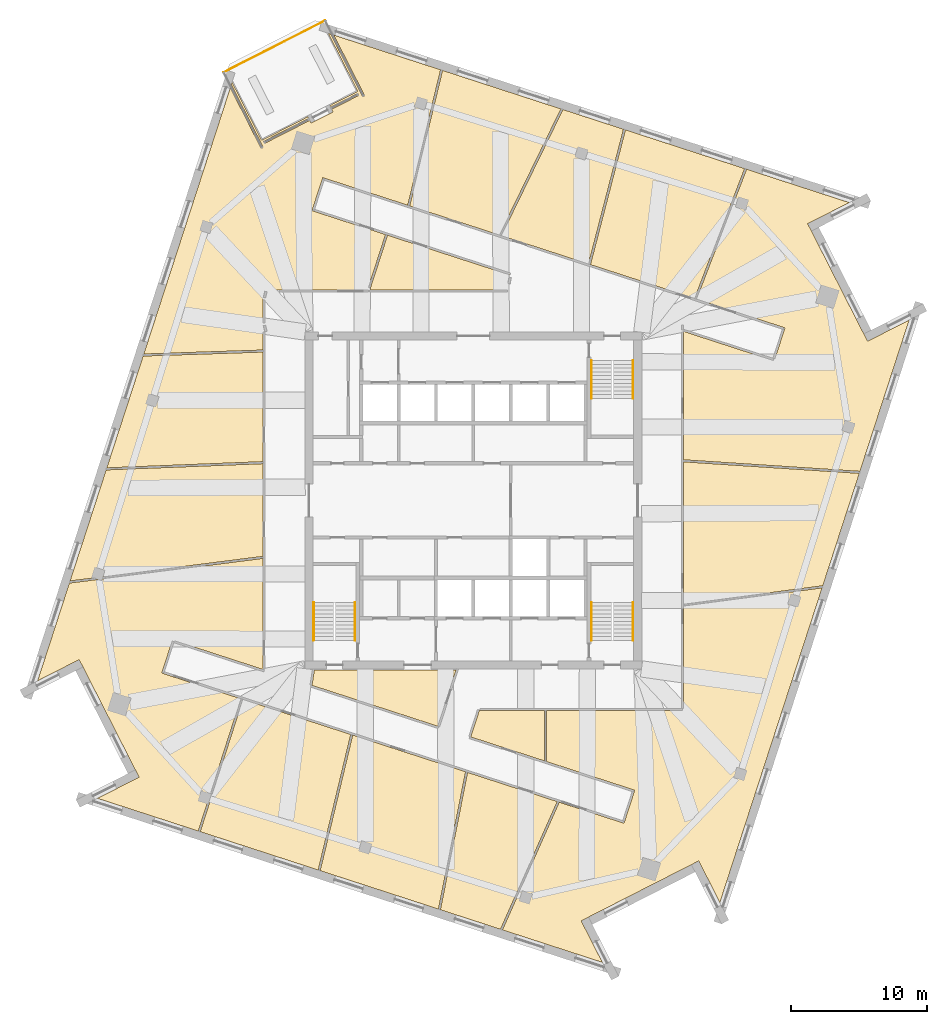
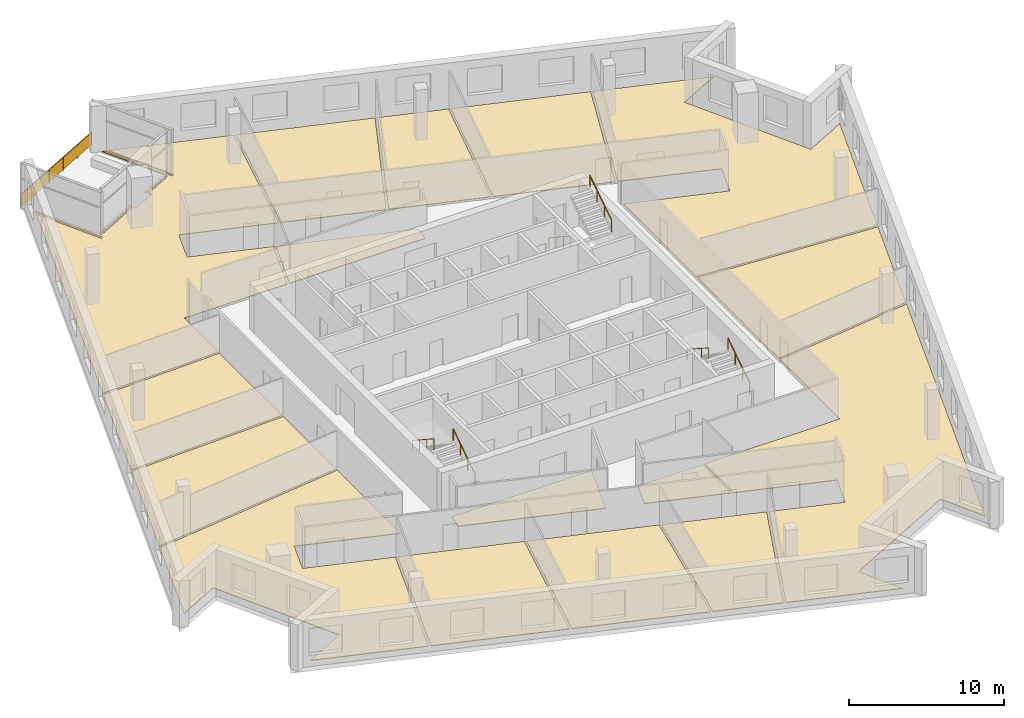
# One storey, part 12 of 13: 16 coverings, 7 railings.
"""IFC4 building model written with IfcOpenShell, lengths in metres."""

from ifc_helpers import new_model, si_unit, direction, frame, origin, origin_2d, place, context, subcontext, project, spatial, polyline, rectangle, circle, outline, extrude, material, layer, layer_set, type_object, element, save


model = new_model("IFC4")

# Units and contexts
model_context = context("Model", 3, precision=1e-05, world=origin(), true_north=direction((0.0, 1.0)))
body_context = subcontext(model_context, "Body", "Model", "MODEL_VIEW")
ifc_project = project(units=[si_unit("LENGTHUNIT", "METRE"), si_unit("AREAUNIT", "SQUARE_METRE"), si_unit("VOLUMEUNIT", "CUBIC_METRE"), si_unit("PLANEANGLEUNIT", "RADIAN"), si_unit("MASSUNIT", "GRAM", prefix="KILO")], contexts=[model_context])

# Site, building, storey
site_placement = place(None, origin())
site = spatial("IfcSite", under=ifc_project, at=site_placement, CompositionType="ELEMENT")
building_placement = place(site_placement, origin())
building = spatial("IfcBuilding", under=site, at=building_placement, Name="Dilmun Exchange Tower", CompositionType="ELEMENT")
storey_placement = place(building_placement, frame((0.0, 0.0, 316.5)))
storey = spatial("IfcBuildingStorey", under=building, at=storey_placement, Name="L75", CompositionType="ELEMENT", Elevation=316.5)

# Coverings
ifc_material_1 = material(Name="Carpet floor finish 50")
ifc_layer_1 = layer(ifc_material_1, 0.050048828125)
ifc_layer_set_1 = layer_set([ifc_layer_1], Name="Carpet floor finish 50")
covering_type_1 = type_object("IfcCoveringType", Name="Carpet floor finish 50", PredefinedType="FLOORING", material=ifc_layer_set_1)
covering_1_placement = place(storey_placement, origin())
element("IfcCovering", 1, at=covering_1_placement, inside=storey, type_object=covering_type_1, Name="Carpet floor finish 50 Boardroom 1", PredefinedType="FLOORING", context=body_context, shape_type="SweptSolid", body=[
    extrude(outline(polyline([(-9.0244140625, -17.218994140625), (-11.418701171875, -27.20068359375), (-20.1044921875, -24.37841796875), (-16.962890625, -14.6396484375), (-9.0244140625, -17.218994140625)])), origin(), (0.0, 0.0, 1.0), 0.050048828125),
])
covering_2_placement = place(storey_placement, origin())
element("IfcCovering", 2, at=covering_2_placement, inside=storey, type_object=covering_type_1, Name="Carpet floor finish 50 Garden lounge", PredefinedType="FLOORING", context=body_context, shape_type="SweptSolid", body=[
    extrude(outline(polyline([(-15.47509765625, 11.070068359375), (-24.254150390625, 10.779052734375), (-17.887939453125, 30.3720703125), (-15.6123046875, 25.9052734375), (-15.612060546875, 25.905029296875), (-15.612060546875, 25.90478515625), (-15.61181640625, 25.90478515625), (-15.61181640625, 25.90478515625), (-15.611572265625, 25.904541015625), (-15.611328125, 25.904296875), (-15.611083984375, 25.904296875), (-15.611083984375, 25.904296875), (-15.61083984375, 25.904296875), (-15.610595703125, 25.904296875), (-15.6103515625, 25.904296875), (-15.610107421875, 25.904296875), (-15.610107421875, 25.904296875), (-15.60986328125, 25.904296875), (-15.609619140625, 25.904296875), (-15.609619140625, 25.904296875), (-15.466796875, 25.97705078125), (-15.466796875, 25.97705078125), (-15.466552734375, 25.977294921875), (-15.46630859375, 25.977294921875), (-15.46630859375, 25.9775390625), (-15.46630859375, 25.977783203125), (-15.466064453125, 25.977783203125), (-15.466064453125, 25.97802734375), (-15.4658203125, 25.978271484375), (-15.4658203125, 25.978515625), (-15.4658203125, 25.978515625), (-15.4658203125, 25.978759765625), (-15.4658203125, 25.97900390625), (-15.4658203125, 25.979248046875), (-15.4658203125, 25.9794921875), (-15.466064453125, 25.9794921875), (-15.466064453125, 25.979736328125), (-17.81640625, 30.592529296875), (-17.75390625, 30.784912109375), (-15.576904296875, 26.512451171875), (-12.180419921875, 28.2431640625), (-12.115478515625, 28.11572265625), (-15.4453125, 26.419189453125), (-15.4453125, 26.4189453125), (-15.445556640625, 26.4189453125), (-15.44580078125, 26.418701171875), (-15.44580078125, 26.418701171875), (-15.446044921875, 26.41845703125), (-15.446044921875, 26.418212890625), (-15.4462890625, 26.418212890625), (-15.4462890625, 26.41796875), (-15.4462890625, 26.417724609375), (-15.4462890625, 26.41748046875), (-15.4462890625, 26.417236328125), (-15.4462890625, 26.4169921875), (-15.4462890625, 26.4169921875), (-15.4462890625, 26.416748046875), (-15.4462890625, 26.41650390625), (-15.446044921875, 26.41650390625), (-15.37353515625, 26.273681640625), (-15.373291015625, 26.273681640625), (-15.373291015625, 26.2734375), (-15.373046875, 26.273193359375), (-15.373046875, 26.273193359375), (-15.372802734375, 26.273193359375), (-15.372802734375, 26.27294921875), (-15.37255859375, 26.27294921875), (-15.372314453125, 26.272705078125), (-15.3720703125, 26.272705078125), (-15.371826171875, 26.272705078125), (-15.37158203125, 26.272705078125), (-15.37158203125, 26.272705078125), (-15.371337890625, 26.272705078125), (-15.37109375, 26.272705078125), (-15.37109375, 26.27294921875), (-15.370849609375, 26.27294921875), (-12.041015625, 27.969482421875), (-11.94189453125, 27.775390625), (-11.94189453125, 27.775146484375), (-11.94189453125, 27.77490234375), (-11.941650390625, 27.77490234375), (-11.94140625, 27.774658203125), (-11.94140625, 27.774658203125), (-11.941162109375, 27.7744140625), (-11.94091796875, 27.7744140625), (-11.94091796875, 27.7744140625), (-11.940673828125, 27.774169921875), (-11.9404296875, 27.774169921875), (-11.940185546875, 27.774169921875), (-11.93994140625, 27.774169921875), (-11.939697265625, 27.774169921875), (-11.939697265625, 27.7744140625), (-11.939453125, 27.7744140625), (-11.939208984375, 27.7744140625), (-10.33544921875, 28.591552734375), (-10.335205078125, 28.591796875), (-10.335205078125, 28.591796875), (-10.3349609375, 28.592041015625), (-10.3349609375, 28.592041015625), (-10.334716796875, 28.59228515625), (-10.334716796875, 28.59228515625), (-10.334716796875, 28.592529296875), (-10.33447265625, 28.5927734375), (-10.33447265625, 28.593017578125), (-10.33447265625, 28.59326171875), (-10.33447265625, 28.593505859375), (-10.33447265625, 28.593505859375), (-10.33447265625, 28.59375), (-10.33447265625, 28.593994140625), (-10.33447265625, 28.593994140625), (-10.334716796875, 28.59423828125), (-10.43359375, 28.78857421875), (-8.4404296875, 29.80419921875), (-8.440185546875, 29.80419921875), (-8.43994140625, 29.80419921875), (-8.43994140625, 29.804443359375), (-8.439697265625, 29.8046875), (-8.439697265625, 29.8046875), (-8.439453125, 29.804931640625), (-8.439453125, 29.80517578125), (-8.439453125, 29.805419921875), (-8.439208984375, 29.805419921875), (-8.439208984375, 29.8056640625), (-8.439208984375, 29.805908203125), (-8.439208984375, 29.80615234375), (-8.439208984375, 29.806396484375), (-8.439453125, 29.806396484375), (-8.439453125, 29.806640625), (-8.439453125, 29.806884765625), (-8.51220703125, 29.949462890625), (-8.51220703125, 29.94970703125), (-8.51220703125, 29.94970703125), (-8.512451171875, 29.949951171875), (-8.5126953125, 29.949951171875), (-8.5126953125, 29.9501953125), (-8.512939453125, 29.9501953125), (-8.51318359375, 29.9501953125), (-8.51318359375, 29.950439453125), (-8.513427734375, 29.950439453125), (-8.513671875, 29.950439453125), (-8.513916015625, 29.950439453125), (-8.51416015625, 29.950439453125), (-8.514404296875, 29.950439453125), (-8.514404296875, 29.950439453125), (-8.5146484375, 29.9501953125), (-8.514892578125, 29.9501953125), (-10.508056640625, 28.934814453125), (-10.572998046875, 29.06201171875), (-8.512939453125, 30.11181640625), (-10.689697265625, 34.38427734375), (-10.497314453125, 34.32177734375), (-8.147216796875, 29.708984375), (-8.147216796875, 29.708740234375), (-8.14697265625, 29.70849609375), (-8.146728515625, 29.70849609375), (-8.146728515625, 29.708251953125), (-8.146484375, 29.7080078125), (-8.146484375, 29.7080078125), (-8.146240234375, 29.7080078125), (-8.14599609375, 29.7080078125), (-8.145751953125, 29.707763671875), (-8.1455078125, 29.707763671875), (-8.1455078125, 29.707763671875), (-8.145263671875, 29.707763671875), (-8.14501953125, 29.707763671875), (-8.144775390625, 29.7080078125), (-8.144775390625, 29.7080078125), (-8.14453125, 29.7080078125), (-8.001953125, 29.780517578125), (-8.001708984375, 29.78076171875), (-8.001708984375, 29.78076171875), (-8.00146484375, 29.781005859375), (-8.001220703125, 29.781005859375), (-8.001220703125, 29.78125), (-8.001220703125, 29.781494140625), (-8.0009765625, 29.781494140625), (-8.0009765625, 29.78173828125), (-8.0009765625, 29.781982421875), (-8.000732421875, 29.7822265625), (-8.000732421875, 29.782470703125), (-8.000732421875, 29.78271484375), (-8.0009765625, 29.78271484375), (-8.0009765625, 29.782958984375), (-8.0009765625, 29.783203125), (-8.0009765625, 29.783203125), (-10.27685546875, 34.25), (-2.41162109375, 31.6943359375), (-4.829345703125, 21.720458984375), (-11.08349609375, 23.75244140625), (-11.87158203125, 21.327392578125), (-6.459716796875, 19.56884765625), (-7.789794921875, 15.47509765625), (-15.47509765625, 15.47509765625), (-15.47509765625, 11.070068359375)])), origin(), (0.0, 0.0, 1.0), 0.050048828125),
])
covering_3_placement = place(storey_placement, origin())
element("IfcCovering", 3, at=covering_3_placement, inside=storey, type_object=covering_type_1, Name="Carpet floor finish 50 Boardroom 2", PredefinedType="FLOORING", context=body_context, shape_type="SweptSolid", body=[
    extrude(outline(polyline([(2.645751953125, 16.6103515625), (2.4658203125, 15.47509765625), (-7.5751953125, 15.47509765625), (-7.5751953125, 15.64990234375), (-6.31689453125, 19.5224609375), (2.645751953125, 16.6103515625)])), origin(), (0.0, 0.0, 1.0), 0.050048828125),
])
covering_4_placement = place(storey_placement, origin())
element("IfcCovering", 4, at=covering_4_placement, inside=storey, type_object=covering_type_1, Name="Carpet floor finish 50 Break-out lounge", PredefinedType="FLOORING", context=body_context, shape_type="SweptSolid", body=[
    extrude(outline(polyline([(1.911865234375, 19.530029296875), (-4.686279296875, 21.673828125), (-2.2685546875, 31.64794921875), (6.445068359375, 28.816650390625), (1.911865234375, 19.530029296875)])), origin(), (0.0, 0.0, 1.0), 0.050048828125),
])
covering_5_placement = place(storey_placement, origin())
element("IfcCovering", 5, at=covering_5_placement, inside=storey, type_object=covering_type_1, Name="Carpet floor finish 50 Prayer room", PredefinedType="FLOORING", context=body_context, shape_type="SweptSolid", body=[
    extrude(outline(polyline([(6.17431640625, -22.157470703125), (1.9931640625, -31.55859375), (-2.42626953125, -30.12255859375), (-0.42919921875, -20.01171875), (6.17431640625, -22.157470703125)])), origin(), (0.0, 0.0, 1.0), 0.050048828125),
])
covering_6_placement = place(storey_placement, origin())
element("IfcCovering", 6, at=covering_6_placement, inside=storey, type_object=covering_type_1, Name="Carpet floor finish 50 Meeting room", PredefinedType="FLOORING", context=body_context, shape_type="SweptSolid", body=[
    extrude(outline(polyline([(5.23486328125, -19.1708984375), (-0.196533203125, -17.406005859375), (0.430908203125, -15.47509765625), (5.23486328125, -15.47509765625), (5.23486328125, -19.1708984375)])), origin(), (0.0, 0.0, 1.0), 0.050048828125),
])
covering_7_placement = place(storey_placement, origin())
element("IfcCovering", 7, at=covering_7_placement, inside=storey, type_object=covering_type_1, Name="Carpet floor finish 50 Headquarters office", PredefinedType="FLOORING", context=body_context, shape_type="SweptSolid", body=[
    extrude(outline(polyline([(6.31787109375, -22.2041015625), (11.08349609375, -23.75244140625), (11.87158203125, -21.327392578125), (5.384765625, -19.219482421875), (5.384765625, -15.47509765625), (15.47509765625, -15.47509765625), (15.47509765625, -7.77978515625), (25.665771484375, -6.4345703125), (18.141845703125, -29.590576171875), (16.583740234375, -26.53271484375), (16.583740234375, -26.532470703125), (16.58349609375, -26.5322265625), (16.58349609375, -26.531982421875), (16.583251953125, -26.531982421875), (16.5830078125, -26.531982421875), (16.5830078125, -26.53173828125), (16.582763671875, -26.53173828125), (16.58251953125, -26.531494140625), (16.58251953125, -26.531494140625), (16.582275390625, -26.531494140625), (16.58203125, -26.531494140625), (16.581787109375, -26.531494140625), (16.581787109375, -26.531494140625), (16.58154296875, -26.531494140625), (16.581298828125, -26.531494140625), (16.5810546875, -26.53173828125), (16.046875, -26.803955078125), (16.046875, -26.803955078125), (16.046630859375, -26.803955078125), (16.04638671875, -26.80419921875), (8.472900390625, -30.6630859375), (8.472900390625, -30.6630859375), (7.938232421875, -30.935302734375), (7.93798828125, -30.935546875), (7.93798828125, -30.935546875), (7.937744140625, -30.935791015625), (7.937744140625, -30.935791015625), (7.9375, -30.93603515625), (7.9375, -30.936279296875), (7.9375, -30.936279296875), (7.937255859375, -30.9365234375), (7.937255859375, -30.936767578125), (7.937255859375, -30.93701171875), (7.937255859375, -30.937255859375), (7.937255859375, -30.9375), (7.937255859375, -30.9375), (7.937255859375, -30.937744140625), (7.937255859375, -30.93798828125), (7.9375, -30.93798828125), (9.49560546875, -33.99609375), (2.13671875, -31.60498046875), (6.31787109375, -22.2041015625)])), origin(), (0.0, 0.0, 1.0), 0.050048828125),
])
ifc_material_2 = material(Name="Rubber floor finish 50")
ifc_layer_2 = layer(ifc_material_2, 0.050048828125)
ifc_layer_set_2 = layer_set([ifc_layer_2], Name="Rubber floor finish 50")
covering_type_2 = type_object("IfcCoveringType", Name="Rubber floor finish 50", PredefinedType="FLOORING", material=ifc_layer_set_2)
covering_8_placement = place(storey_placement, origin())
element("IfcCovering", 8, at=covering_8_placement, inside=storey, type_object=covering_type_2, Name="Rubber floor finish 50 Fitness room 1", PredefinedType="FLOORING", context=body_context, shape_type="SweptSolid", body=[
    extrude(outline(polyline([(-15.47509765625, -4.26318359375), (-15.47509765625, -12.44189453125), (-22.14013671875, -10.276123046875), (-22.92822265625, -12.701416015625), (-17.10546875, -14.59326171875), (-20.247314453125, -24.332275390625), (-27.66455078125, -21.922119140625), (-24.6064453125, -20.364013671875), (-24.606201171875, -20.364013671875), (-24.606201171875, -20.36376953125), (-24.60595703125, -20.363525390625), (-24.60595703125, -20.363525390625), (-24.605712890625, -20.36328125), (-24.605712890625, -20.36328125), (-24.605712890625, -20.363037109375), (-24.60546875, -20.36279296875), (-24.60546875, -20.362548828125), (-24.60546875, -20.3623046875), (-24.60546875, -20.3623046875), (-24.60546875, -20.362060546875), (-24.60546875, -20.36181640625), (-24.60546875, -20.36181640625), (-24.60546875, -20.361572265625), (-24.605712890625, -20.361328125), (-24.8779296875, -19.82666015625), (-24.8779296875, -19.82666015625), (-28.73681640625, -12.253173828125), (-28.73681640625, -12.253173828125), (-29.00927734375, -11.718505859375), (-29.009521484375, -11.71826171875), (-29.009521484375, -11.71826171875), (-29.009765625, -11.718017578125), (-29.009765625, -11.718017578125), (-29.010009765625, -11.7177734375), (-29.010009765625, -11.7177734375), (-29.01025390625, -11.717529296875), (-29.010498046875, -11.717529296875), (-29.0107421875, -11.71728515625), (-29.010986328125, -11.71728515625), (-29.010986328125, -11.71728515625), (-29.01123046875, -11.71728515625), (-29.011474609375, -11.71728515625), (-29.01171875, -11.717529296875), (-29.01171875, -11.717529296875), (-29.011962890625, -11.717529296875), (-32.070068359375, -13.27587890625), (-29.73291015625, -6.08251953125), (-15.47509765625, -4.26318359375)])), origin(), (0.0, 0.0, 1.0), 0.050048828125),
])
covering_9_placement = place(storey_placement, origin())
element("IfcCovering", 9, at=covering_9_placement, inside=storey, type_object=covering_type_2, Name="Rubber floor finish 50 Fitness room 2", PredefinedType="FLOORING", context=body_context, shape_type="SweptSolid", body=[
    extrude(outline(polyline([(-15.47509765625, -4.11181640625), (-29.681640625, -5.9248046875), (-27.026611328125, 2.246826171875), (-15.47509765625, 2.706298828125), (-15.47509765625, -4.11181640625)])), origin(), (0.0, 0.0, 1.0), 0.050048828125),
])
covering_10_placement = place(storey_placement, origin())
element("IfcCovering", 10, at=covering_10_placement, inside=storey, type_object=covering_type_2, Name="Rubber floor finish 50 Fitness room 3", PredefinedType="FLOORING", context=body_context, shape_type="SweptSolid", body=[
    extrude(outline(polyline([(-15.47509765625, 2.8564453125), (-26.97705078125, 2.398681640625), (-24.303466796875, 10.62744140625), (-15.47509765625, 10.919921875), (-15.47509765625, 2.8564453125)])), origin(), (0.0, 0.0, 1.0), 0.050048828125),
])
covering_11_placement = place(storey_placement, origin())
element("IfcCovering", 11, at=covering_11_placement, inside=storey, type_object=covering_type_2, Name="Rubber floor finish 50 Fitness room 4", PredefinedType="FLOORING", context=body_context, shape_type="SweptSolid", body=[
    extrude(outline(polyline([(16.27587890625, 14.86279296875), (8.613525390625, 17.3525390625), (11.192138671875, 27.2744140625), (19.96484375, 24.423828125), (16.27587890625, 14.86279296875)])), origin(), (0.0, 0.0, 1.0), 0.050048828125),
])
covering_12_placement = place(storey_placement, origin())
element("IfcCovering", 12, at=covering_12_placement, inside=storey, type_object=covering_type_2, Name="Rubber floor finish 50 Fitness room 5", PredefinedType="FLOORING", context=body_context, shape_type="SweptSolid", body=[
    extrude(outline(polyline([(15.47509765625, 2.841064453125), (28.404296875, 1.993896484375), (25.717041015625, -6.276611328125), (15.47509765625, -7.628662109375), (15.47509765625, 2.841064453125)])), origin(), (0.0, 0.0, 1.0), 0.050048828125),
])
covering_13_placement = place(storey_placement, origin())
element("IfcCovering", 13, at=covering_13_placement, inside=storey, type_object=covering_type_2, Name="Rubber floor finish 50 Fitness room 6", PredefinedType="FLOORING", context=body_context, shape_type="SweptSolid", body=[
    extrude(outline(polyline([(22.92822265625, 12.701416015625), (16.418701171875, 14.81640625), (20.107666015625, 24.37744140625), (27.66455078125, 21.922119140625), (24.6064453125, 20.364013671875), (24.606201171875, 20.364013671875), (24.606201171875, 20.36376953125), (24.60595703125, 20.363525390625), (24.60595703125, 20.363525390625), (24.605712890625, 20.36328125), (24.605712890625, 20.36328125), (24.605712890625, 20.363037109375), (24.60546875, 20.36279296875), (24.60546875, 20.362548828125), (24.60546875, 20.3623046875), (24.60546875, 20.3623046875), (24.60546875, 20.362060546875), (24.60546875, 20.36181640625), (24.60546875, 20.36181640625), (24.60546875, 20.361572265625), (24.605712890625, 20.361328125), (24.8779296875, 19.82666015625), (24.8779296875, 19.82666015625), (28.73681640625, 12.253173828125), (28.73681640625, 12.253173828125), (29.00927734375, 11.718505859375), (29.009521484375, 11.71826171875), (29.009521484375, 11.71826171875), (29.009765625, 11.718017578125), (29.009765625, 11.718017578125), (29.010009765625, 11.7177734375), (29.010009765625, 11.7177734375), (29.01025390625, 11.717529296875), (29.010498046875, 11.717529296875), (29.0107421875, 11.71728515625), (29.010986328125, 11.71728515625), (29.010986328125, 11.71728515625), (29.01123046875, 11.71728515625), (29.011474609375, 11.71728515625), (29.01171875, 11.717529296875), (29.01171875, 11.717529296875), (29.011962890625, 11.717529296875), (32.070068359375, 13.27587890625), (28.4521484375, 2.14111328125), (15.47509765625, 2.9912109375), (15.47509765625, 12.44189453125), (22.14013671875, 10.276123046875), (22.92822265625, 12.701416015625)])), origin(), (0.0, 0.0, 1.0), 0.050048828125),
])

# Railings
ifc_material_3 = material(Name="Stainless steel", Category="steel")
railing_type_1 = type_object("IfcRailingType", Name="Stair handrail 900", PredefinedType="HANDRAIL", material=ifc_material_3)
railing_1_placement = place(storey_placement, frame((8.699951171875, 10.300048828125, 0.181884765625)))
element("IfcRailing", 14, at=railing_1_placement, inside=storey, type_object=railing_type_1, Name="L75 ST1 stair handrail 1", PredefinedType="HANDRAIL", context=body_context, shape_type="SweptSolid", body=[
    extrude(circle(Radius=0.02392578125, at=origin_2d()), frame((0.0, 0.0, 0.8759765625), z_axis=(0.0, -0.838705829183, 0.544584733623), x_axis=(1.0, 0.0, 0.0)), (0.0, 0.0, 1.0), 3.338623046875),
    extrude(circle(Radius=0.02099609375, at=origin_2d()), origin(), (0.0, 0.0, 1.0), 0.851806640625),
    extrude(circle(Radius=0.02099609375, at=origin_2d()), frame((0.0, -0.933349609375, 0.60595703125)), (0.0, 0.0, 1.0), 0.851806640625),
    extrude(circle(Radius=0.02099609375, at=origin_2d()), frame((0.0, -1.86669921875, 1.212158203125)), (0.0, 0.0, 1.0), 0.851806640625),
    extrude(circle(Radius=0.02099609375, at=origin_2d()), frame((0.0, -2.800048828125, 1.818115234375)), (0.0, 0.0, 1.0), 0.851806640625),
])
for number, where, name in (
    (15, (11.75, 7.5, 2.181884765625), "L75 ST1 stair handrail 2"),
    (16, (-8.699951171875, -10.300048828125, 0.181884765625), "L75 ST2 stair handrail 1"),
):
    element("IfcRailing", number, at=place(storey_placement, frame(where)), inside=storey, type_object=railing_type_1, Name=name, PredefinedType="HANDRAIL", context=body_context, shape_type="SweptSolid", body=[
        extrude(circle(Radius=0.02392578125, at=origin_2d()), frame((0.0, 0.0, 0.8759765625), z_axis=(0.0, 0.838705829183, 0.544584733623), x_axis=(-1.0, 0.0, 0.0)), (0.0, 0.0, 1.0), 3.338623046875),
        extrude(circle(Radius=0.02099609375, at=origin_2d()), origin(), (0.0, 0.0, 1.0), 0.851806640625),
        extrude(circle(Radius=0.02099609375, at=origin_2d()), frame((0.0, 0.933349609375, 0.60595703125)), (0.0, 0.0, 1.0), 0.851806640625),
        extrude(circle(Radius=0.02099609375, at=origin_2d()), frame((0.0, 1.86669921875, 1.212158203125)), (0.0, 0.0, 1.0), 0.851806640625),
        extrude(circle(Radius=0.02099609375, at=origin_2d()), frame((0.0, 2.800048828125, 1.818115234375)), (0.0, 0.0, 1.0), 0.851806640625),
    ])
railing_2_placement = place(storey_placement, frame((-11.75, -7.5, 2.181884765625)))
element("IfcRailing", 17, at=railing_2_placement, inside=storey, type_object=railing_type_1, Name="L75 ST2 stair handrail 2", PredefinedType="HANDRAIL", context=body_context, shape_type="SweptSolid", body=[
    extrude(circle(Radius=0.02392578125, at=origin_2d()), frame((0.0, 0.0, 0.8759765625), z_axis=(0.0, -0.838705829183, 0.544584733623), x_axis=(1.0, 0.0, 0.0)), (0.0, 0.0, 1.0), 3.338623046875),
    extrude(circle(Radius=0.02099609375, at=origin_2d()), origin(), (0.0, 0.0, 1.0), 0.851806640625),
    extrude(circle(Radius=0.02099609375, at=origin_2d()), frame((0.0, -0.933349609375, 0.60595703125)), (0.0, 0.0, 1.0), 0.851806640625),
    extrude(circle(Radius=0.02099609375, at=origin_2d()), frame((0.0, -1.86669921875, 1.212158203125)), (0.0, 0.0, 1.0), 0.851806640625),
    extrude(circle(Radius=0.02099609375, at=origin_2d()), frame((0.0, -2.800048828125, 1.818115234375)), (0.0, 0.0, 1.0), 0.851806640625),
])
railing_3_placement = place(storey_placement, frame((11.75, -10.300048828125, 0.181884765625)))
element("IfcRailing", 18, at=railing_3_placement, inside=storey, type_object=railing_type_1, Name="L75 ST3 stair handrail 1", PredefinedType="HANDRAIL", context=body_context, shape_type="SweptSolid", body=[
    extrude(circle(Radius=0.02392578125, at=origin_2d()), frame((0.0, 0.0, 0.8759765625), z_axis=(0.0, 0.838705829183, 0.544584733623), x_axis=(-1.0, 0.0, 0.0)), (0.0, 0.0, 1.0), 3.338623046875),
    extrude(circle(Radius=0.02099609375, at=origin_2d()), origin(), (0.0, 0.0, 1.0), 0.851806640625),
    extrude(circle(Radius=0.02099609375, at=origin_2d()), frame((0.0, 0.933349609375, 0.60595703125)), (0.0, 0.0, 1.0), 0.851806640625),
    extrude(circle(Radius=0.02099609375, at=origin_2d()), frame((0.0, 1.86669921875, 1.212158203125)), (0.0, 0.0, 1.0), 0.851806640625),
    extrude(circle(Radius=0.02099609375, at=origin_2d()), frame((0.0, 2.800048828125, 1.818115234375)), (0.0, 0.0, 1.0), 0.851806640625),
])
railing_4_placement = place(storey_placement, frame((8.699951171875, -7.5, 2.181884765625)))
element("IfcRailing", 19, at=railing_4_placement, inside=storey, type_object=railing_type_1, Name="L75 ST3 stair handrail 2", PredefinedType="HANDRAIL", context=body_context, shape_type="SweptSolid", body=[
    extrude(circle(Radius=0.02392578125, at=origin_2d()), frame((0.0, 0.0, 0.8759765625), z_axis=(0.0, -0.838705829183, 0.544584733623), x_axis=(1.0, 0.0, 0.0)), (0.0, 0.0, 1.0), 3.338623046875),
    extrude(circle(Radius=0.02099609375, at=origin_2d()), origin(), (0.0, 0.0, 1.0), 0.851806640625),
    extrude(circle(Radius=0.02099609375, at=origin_2d()), frame((0.0, -0.933349609375, 0.60595703125)), (0.0, 0.0, 1.0), 0.851806640625),
    extrude(circle(Radius=0.02099609375, at=origin_2d()), frame((0.0, -1.86669921875, 1.212158203125)), (0.0, 0.0, 1.0), 0.851806640625),
    extrude(circle(Radius=0.02099609375, at=origin_2d()), frame((0.0, -2.800048828125, 1.818115234375)), (0.0, 0.0, 1.0), 0.851806640625),
])

# Covering
ifc_material_4 = material(Name="Stone floor finish 50", Category="masonry")
ifc_layer_3 = layer(ifc_material_4, 0.050048828125)
ifc_layer_set_3 = layer_set([ifc_layer_3], Name="Stone floor finish 50")
covering_type_3 = type_object("IfcCoveringType", Name="Stone floor finish 50", PredefinedType="FLOORING", material=ifc_layer_set_3)
covering_14_placement = place(storey_placement, origin())
element("IfcCovering", 20, at=covering_14_placement, inside=storey, type_object=covering_type_3, Name="Stone floor finish 50 Reception", PredefinedType="FLOORING", context=body_context, shape_type="SweptSolid", body=[
    extrude(outline(polyline([(2.055908203125, 19.483154296875), (6.589111328125, 28.77001953125), (11.04931640625, 27.32080078125), (8.470703125, 17.39892578125), (2.055908203125, 19.483154296875)])), origin(), (0.0, 0.0, 1.0), 0.050048828125),
])

# Railing
railing_type_2 = type_object("IfcRailingType", Name="Terrace guard 1100 stainless steel", PredefinedType="GUARDRAIL", material=ifc_material_3)
railing_5_placement = place(storey_placement, frame((-18.375, 31.508056640625, 0.0)))
element("IfcRailing", 21, at=railing_5_placement, inside=storey, type_object=railing_type_2, Name="Terrace guard 1", PredefinedType="GUARDRAIL", context=body_context, shape_type="SweptSolid", body=[
    extrude(circle(Radius=0.02392578125, at=origin_2d()), frame((0.0, 0.0, 1.076171875), z_axis=(0.891003691333, 0.453996059488, 0.0), x_axis=(-0.453996059488, 0.891003691333, 0.0)), (0.0, 0.0, 1.0), 8.378173828125),
    extrude(rectangle(XDim=0.011962890625, YDim=0.951904296875, at=origin_2d()), frame((0.0, 0.0, 0.576171875), z_axis=(0.891003691333, 0.453996059488, 0.0), x_axis=(-0.453996059488, 0.891003691333, 0.0)), (0.0, 0.0, 1.0), 8.378173828125),
    extrude(circle(Radius=0.02099609375, at=origin_2d()), origin(), (0.0, 0.0, 1.0), 1.052001953125),
    extrude(circle(Radius=0.02099609375, at=origin_2d()), frame((1.492919921875, 0.7607421875, 0.0)), (0.0, 0.0, 1.0), 1.052001953125),
    extrude(circle(Radius=0.02099609375, at=origin_2d()), frame((2.986083984375, 1.521484375, 0.0)), (0.0, 0.0, 1.0), 1.052001953125),
    extrude(circle(Radius=0.02099609375, at=origin_2d()), frame((4.47900390625, 2.2822265625, 0.0)), (0.0, 0.0, 1.0), 1.052001953125),
    extrude(circle(Radius=0.02099609375, at=origin_2d()), frame((5.97216796875, 3.04296875, 0.0)), (0.0, 0.0, 1.0), 1.052001953125),
    extrude(circle(Radius=0.02099609375, at=origin_2d()), frame((7.465087890625, 3.8037109375, 0.0)), (0.0, 0.0, 1.0), 1.052001953125),
])

# Coverings
ifc_material_5 = material(Name="Tile floor finish 50")
ifc_layer_4 = layer(ifc_material_5, 0.050048828125)
ifc_layer_set_4 = layer_set([ifc_layer_4], Name="Tile floor finish 50")
covering_type_4 = type_object("IfcCoveringType", Name="Tile floor finish 50", PredefinedType="FLOORING", material=ifc_layer_set_4)
covering_15_placement = place(storey_placement, origin())
element("IfcCovering", 22, at=covering_15_placement, inside=storey, type_object=covering_type_4, Name="Tile floor finish 50 Staff restaurant", PredefinedType="FLOORING", context=body_context, shape_type="SweptSolid", body=[
    extrude(outline(polyline([(-0.572998046875, -19.965087890625), (-2.56982421875, -30.075927734375), (-11.275390625, -27.247314453125), (-8.88134765625, -17.265380859375), (-0.572998046875, -19.965087890625)])), origin(), (0.0, 0.0, 1.0), 0.050048828125),
])
covering_16_placement = place(storey_placement, origin())
element("IfcCovering", 23, at=covering_16_placement, inside=storey, type_object=covering_type_4, Name="Tile floor finish 50 Pantry", PredefinedType="FLOORING", context=body_context, shape_type="SweptSolid", body=[
    extrude(outline(polyline([(-1.275390625, -12.47509765625), (-2.62158203125, -16.6181640625), (-11.878662109375, -13.6103515625), (-11.698974609375, -12.47509765625), (-1.275390625, -12.47509765625)])), origin(), (0.0, 0.0, 1.0), 0.050048828125),
])

save(model, "model.ifc")
